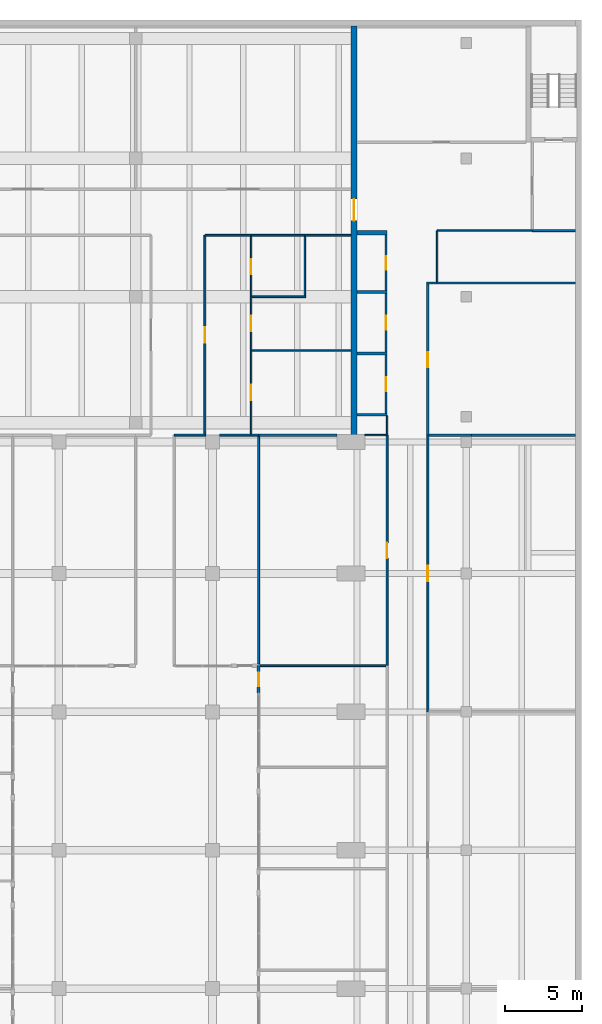
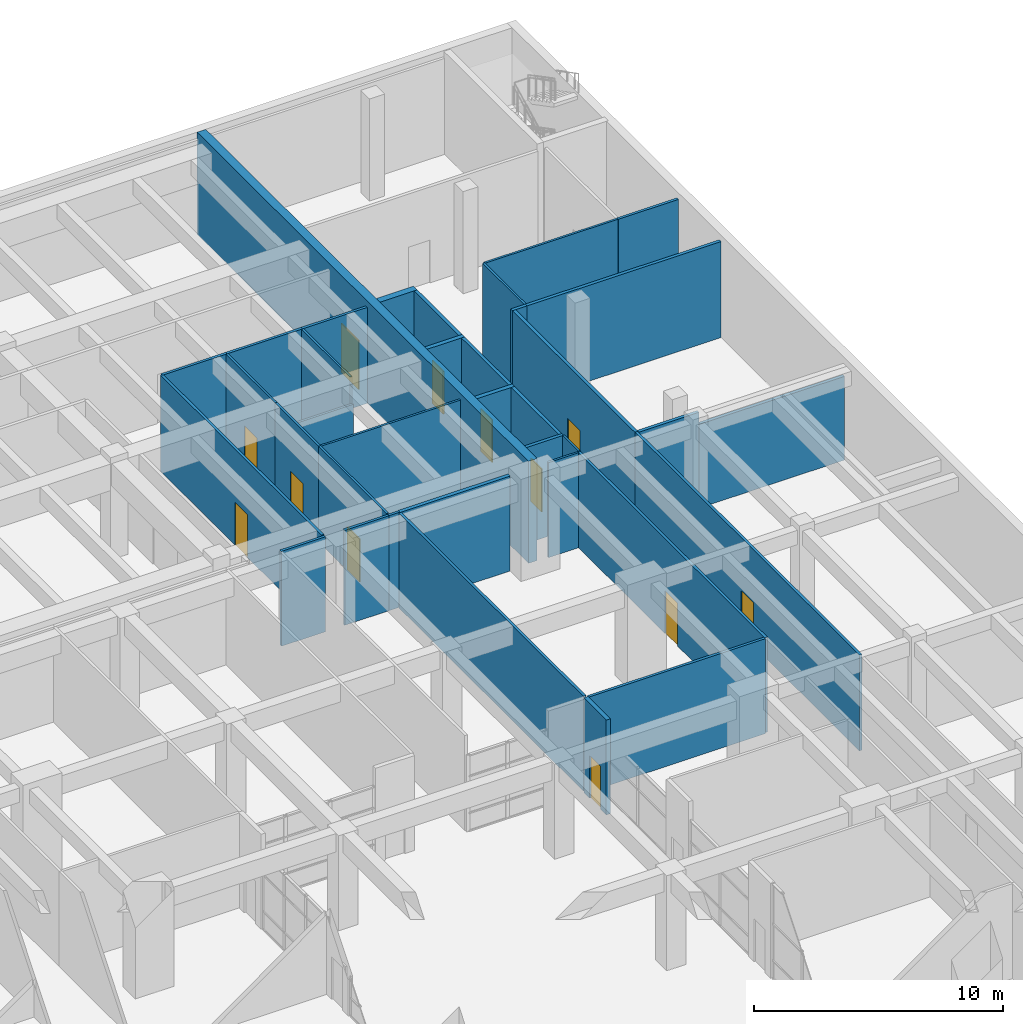
# One storey, part 24 of 29: 37 walls, 12 doors, 12 openings.
"""IFC4 building model written with IfcOpenShell, lengths in metres."""

from ifc_helpers import new_model, si_unit, direction, frame, frame_2d, origin, place, context, subcontext, project, spatial, rectangle, extrude, material, layer, layer_set, type_object, element, fill, save


model = new_model("IFC4")

# Units and contexts
model_context = context("Model", 3, precision=1e-05, world=origin(), true_north=direction((0.0, 1.0)))
body_context = subcontext(model_context, "Body", "Model", "MODEL_VIEW")
ifc_project = project(units=[si_unit("LENGTHUNIT", "METRE"), si_unit("AREAUNIT", "SQUARE_METRE"), si_unit("VOLUMEUNIT", "CUBIC_METRE"), si_unit("PLANEANGLEUNIT", "RADIAN"), si_unit("MASSUNIT", "GRAM", prefix="KILO")], contexts=[model_context])

# Site, building, storey
site_placement = place(None, origin())
site = spatial("IfcSite", under=ifc_project, at=site_placement, CompositionType="ELEMENT")
building_placement = place(site_placement, origin())
building = spatial("IfcBuilding", under=site, at=building_placement, Name="Elmora Arch Market Hall", CompositionType="ELEMENT")
storey_placement = place(building_placement, frame((0.0, 0.0, -5.0)))
storey = spatial("IfcBuildingStorey", under=building, at=storey_placement, Name="LG", CompositionType="ELEMENT", Elevation=-5.0)

# Wall
ifc_material_1 = material(Name="Blockwork", Category="masonry")
ifc_layer_1 = layer(ifc_material_1, 0.14990234375)
ifc_layer_set_1 = layer_set([ifc_layer_1], Name="Blockwork")
wall_type_1 = type_object("IfcWallType", Name="Blockwork partition 150 EI 120", PredefinedType="PARTITIONING", material=ifc_layer_set_1)
wall_1_placement = place(storey_placement, frame((43.39990234375, 100.324951171875, 0.0), z_axis=(0.0, 0.0, 1.0), x_axis=(1.0, 0.0, 0.0)))
element("IfcWall", 1, at=wall_1_placement, inside=storey, type_object=wall_type_1, Name="Riser wall LG 14", PredefinedType="PARTITIONING", context=body_context, shape_type="SweptSolid", body=[
    extrude(rectangle(XDim=1.9501953125, YDim=0.14990234375, at=frame_2d((0.97509765625, 0.0))), origin(), (0.0, 0.0, 1.0), 4.699951171875),
])

# Wall, opening, door
wall_2_placement = place(storey_placement, frame((45.27490234375, 100.39990234375, 0.0), z_axis=(0.0, 0.0, 1.0), x_axis=(0.0, 1.0, 0.0)))
wall_2 = element("IfcWall", 2, at=wall_2_placement, inside=storey, type_object=wall_type_1, Name="Riser wall LG 18", PredefinedType="PARTITIONING", context=body_context, shape_type="SweptSolid", body=[
    extrude(rectangle(XDim=3.800048828125, YDim=0.14990234375, at=frame_2d((1.89990234375, 0.0))), origin(), (0.0, 0.0, 1.0), 4.699951171875),
])
opening_1_placement = place(wall_2_placement, frame((1.449951171875, 0.0, 0.0)))
opening_1 = element("IfcOpeningElement", 3, at=opening_1_placement, cuts=wall_2, Name="Opening D-LG-021", PredefinedType="OPENING", context=body_context, shape_type="SweptSolid", body=[
    extrude(rectangle(XDim=0.89990234375, YDim=2.10009765625, at=frame_2d((0.449951171875, 1.050048828125))), frame((0.0, 0.0849609375, 0.0), z_axis=(0.0, -1.0, 0.0), x_axis=(1.0, 0.0, 0.0)), (0.0, 0.0, 1.0), 0.169921875),
])
ifc_material_2 = material(Name="Steel ASTM A653 galvanised", Category="steel")
door_type_1 = type_object("IfcDoorType", Name="Door 900 x 2100 FD90", OperationType="SINGLE_SWING_LEFT", PredefinedType="DOOR", material=ifc_material_2)
door_1_placement = place(opening_1_placement, origin())
door_1 = element("IfcDoor", 4, at=door_1_placement, inside=storey, type_object=door_type_1, Name="Riser access door D-LG-021", OperationType="SINGLE_SWING_LEFT", OverallHeight=2.10009765625, OverallWidth=0.89990234375, PredefinedType="DOOR", context=body_context, shape_type="SweptSolid", body=[
    extrude(rectangle(XDim=0.89990234375, YDim=2.10009765625, at=frame_2d((0.449951171875, 1.050048828125))), frame((0.0, 0.02490234375, 0.0), z_axis=(0.0, -1.0, 0.0), x_axis=(1.0, 0.0, 0.0)), (0.0, 0.0, 1.0), 0.050048828125),
])
fill(opening_1, door_1)

wall_3_placement = place(storey_placement, frame((45.27490234375, 104.39990234375, 0.0), z_axis=(0.0, 0.0, 1.0), x_axis=(0.0, 1.0, 0.0)))
wall_3 = element("IfcWall", 5, at=wall_3_placement, inside=storey, type_object=wall_type_1, Name="Riser wall LG 19", PredefinedType="PARTITIONING", context=body_context, shape_type="SweptSolid", body=[
    extrude(rectangle(XDim=3.800048828125, YDim=0.14990234375, at=frame_2d((1.89990234375, 0.0))), origin(), (0.0, 0.0, 1.0), 4.699951171875),
])
opening_2_placement = place(wall_3_placement, frame((1.449951171875, 0.0, 0.0)))
opening_2 = element("IfcOpeningElement", 6, at=opening_2_placement, cuts=wall_3, Name="Opening D-LG-028", PredefinedType="OPENING", context=body_context, shape_type="SweptSolid", body=[
    extrude(rectangle(XDim=0.89990234375, YDim=2.10009765625, at=frame_2d((0.449951171875, 1.050048828125))), frame((0.0, 0.0849609375, 0.0), z_axis=(0.0, -1.0, 0.0), x_axis=(1.0, 0.0, 0.0)), (0.0, 0.0, 1.0), 0.169921875),
])
door_2_placement = place(opening_2_placement, origin())
door_2 = element("IfcDoor", 7, at=door_2_placement, inside=storey, type_object=door_type_1, Name="Riser access door D-LG-028", OperationType="SINGLE_SWING_LEFT", OverallHeight=2.10009765625, OverallWidth=0.89990234375, PredefinedType="DOOR", context=body_context, shape_type="SweptSolid", body=[
    extrude(rectangle(XDim=0.89990234375, YDim=2.10009765625, at=frame_2d((0.449951171875, 1.050048828125))), frame((0.0, 0.02490234375, 0.0), z_axis=(0.0, -1.0, 0.0), x_axis=(1.0, 0.0, 0.0)), (0.0, 0.0, 1.0), 0.050048828125),
])
fill(opening_2, door_2)

wall_4_placement = place(storey_placement, frame((45.27490234375, 108.39990234375, 0.0), z_axis=(0.0, 0.0, 1.0), x_axis=(0.0, 1.0, 0.0)))
wall_4 = element("IfcWall", 8, at=wall_4_placement, inside=storey, type_object=wall_type_1, Name="Riser wall LG 20", PredefinedType="PARTITIONING", context=body_context, shape_type="SweptSolid", body=[
    extrude(rectangle(XDim=3.60009765625, YDim=0.14990234375, at=frame_2d((1.800048828125, 0.0))), origin(), (0.0, 0.0, 1.0), 4.699951171875),
])
opening_3_placement = place(wall_4_placement, frame((1.35009765625, 0.0, 0.0)))
opening_3 = element("IfcOpeningElement", 9, at=opening_3_placement, cuts=wall_4, Name="Opening D-LG-031", PredefinedType="OPENING", context=body_context, shape_type="SweptSolid", body=[
    extrude(rectangle(XDim=0.89990234375, YDim=2.10009765625, at=frame_2d((0.449951171875, 1.050048828125))), frame((0.0, 0.0849609375, 0.0), z_axis=(0.0, -1.0, 0.0), x_axis=(1.0, 0.0, 0.0)), (0.0, 0.0, 1.0), 0.169921875),
])
door_3_placement = place(opening_3_placement, origin())
door_3 = element("IfcDoor", 10, at=door_3_placement, inside=storey, type_object=door_type_1, Name="Riser access door D-LG-031", OperationType="SINGLE_SWING_LEFT", OverallHeight=2.10009765625, OverallWidth=0.89990234375, PredefinedType="DOOR", context=body_context, shape_type="SweptSolid", body=[
    extrude(rectangle(XDim=0.89990234375, YDim=2.10009765625, at=frame_2d((0.449951171875, 1.050048828125))), frame((0.0, 0.02490234375, 0.0), z_axis=(0.0, -1.0, 0.0), x_axis=(1.0, 0.0, 0.0)), (0.0, 0.0, 1.0), 0.050048828125),
])
fill(opening_3, door_3)

# Walls
wall_5_placement = place(storey_placement, frame((48.074951171875, 99.0, 0.0), z_axis=(0.0, 0.0, 1.0), x_axis=(1.0, 0.0, 0.0)))
element("IfcWall", 11, at=wall_5_placement, inside=storey, type_object=wall_type_1, Name="Partition PT-LG-051", PredefinedType="PARTITIONING", context=body_context, shape_type="SweptSolid", body=[
    extrude(rectangle(XDim=2.775146484375, YDim=0.14990234375, at=frame_2d((1.3876953125, 0.0))), origin(), (0.0, 0.0, 1.0), 4.699951171875),
])
wall_6_placement = place(storey_placement, frame((47.925048828125, 108.89990234375, 0.0), z_axis=(0.0, 0.0, 1.0), x_axis=(1.0, 0.0, 0.0)))
element("IfcWall", 12, at=wall_6_placement, inside=storey, type_object=wall_type_1, Name="Partition PT-LG-056", PredefinedType="PARTITIONING", context=body_context, shape_type="SweptSolid", body=[
    extrude(rectangle(XDim=0.675048828125, YDim=0.14990234375, at=frame_2d((0.33740234375, 0.0))), origin(), (0.0, 0.0, 1.0), 4.699951171875),
])
wall_7_placement = place(storey_placement, frame((48.60009765625, 108.89990234375, 0.0), z_axis=(0.0, 0.0, 1.0), x_axis=(1.0, 0.0, 0.0)))
element("IfcWall", 13, at=wall_7_placement, inside=storey, type_object=wall_type_1, Name="Partition PT-LG-057", PredefinedType="PARTITIONING", context=body_context, shape_type="SweptSolid", body=[
    extrude(rectangle(XDim=9.0, YDim=0.14990234375, at=frame_2d((4.5, 0.0))), origin(), (0.0, 0.0, 1.0), 4.699951171875),
])

# Wall, opening, door
wall_8_placement = place(storey_placement, frame((48.0, 99.0, 0.0), z_axis=(0.0, 0.0, 1.0), x_axis=(0.0, 1.0, 0.0)))
wall_8 = element("IfcWall", 14, at=wall_8_placement, inside=storey, type_object=wall_type_1, Name="Partition PT-LG-122", PredefinedType="PARTITIONING", context=body_context, shape_type="SweptSolid", body=[
    extrude(rectangle(XDim=9.824951171875, YDim=0.14990234375, at=frame_2d((4.91259765625, 0.0))), origin(), (0.0, 0.0, 1.0), 4.699951171875),
])
opening_4_placement = place(wall_8_placement, frame((4.39990234375, 0.0, 0.0)))
opening_4 = element("IfcOpeningElement", 15, at=opening_4_placement, cuts=wall_8, Name="Opening D-LG-023", PredefinedType="OPENING", context=body_context, shape_type="SweptSolid", body=[
    extrude(rectangle(XDim=1.0, YDim=2.10009765625, at=frame_2d((0.5, 1.050048828125))), frame((0.0, 0.0849609375, 0.0), z_axis=(0.0, -1.0, 0.0), x_axis=(1.0, 0.0, 0.0)), (0.0, 0.0, 1.0), 0.169921875),
])
ifc_material_3 = material(Name="Steel ASTM A653 galvanised", Category="steel")
door_type_2 = type_object("IfcDoorType", Name="Door 1000 x 2100 FD90", OperationType="SINGLE_SWING_LEFT", PredefinedType="DOOR", material=ifc_material_3)
door_4_placement = place(opening_4_placement, frame((1.0, 0.0, 0.0), z_axis=(0.0, 0.0, 1.0), x_axis=(-1.0, 0.0, 0.0)))
door_4 = element("IfcDoor", 16, at=door_4_placement, inside=storey, type_object=door_type_2, Name="D-LG-023", OperationType="SINGLE_SWING_RIGHT", OverallHeight=2.10009765625, OverallWidth=1.0, PredefinedType="DOOR", context=body_context, shape_type="SweptSolid", body=[
    extrude(rectangle(XDim=1.0, YDim=2.10009765625, at=frame_2d((0.5, 1.050048828125))), frame((0.0, 0.02490234375, 0.0), z_axis=(0.0, -1.0, 0.0), x_axis=(1.0, 0.0, 0.0)), (0.0, 0.0, 1.0), 0.050048828125),
])
fill(opening_4, door_4)

# Walls
wall_9_placement = place(storey_placement, frame((50.85009765625, 99.0, 0.0), z_axis=(0.0, 0.0, 1.0), x_axis=(1.0, 0.0, 0.0)))
element("IfcWall", 17, at=wall_9_placement, inside=storey, type_object=wall_type_1, Name="Partition PT-LG-051.2", PredefinedType="PARTITIONING", context=body_context, shape_type="SweptSolid", body=[
    extrude(rectangle(XDim=6.75, YDim=0.14990234375, at=frame_2d((3.375, 0.0))), origin(), (0.0, 0.0, 1.0), 4.10009765625),
])
ifc_material_4 = material(Name="Blockwork", Category="masonry")
ifc_layer_2 = layer(ifc_material_4, 0.199951171875)
ifc_layer_set_2 = layer_set([ifc_layer_2], Name="Blockwork")
wall_type_2 = type_object("IfcWallType", Name="Blockwork partition 200 EI 120", PredefinedType="PARTITIONING", material=ifc_layer_set_2)
for number, where, z_axis, x_axis, name in (
    (18, (43.39990234375, 104.300048828125, 0.0), (0.0, 0.0, 1.0), (1.0, 0.0, 0.0), "Riser wall LG 15"),
    (19, (43.39990234375, 108.300048828125, 0.0), (0.0, 0.0, 1.0), (1.0, 0.0, 0.0), "Riser wall LG 16"),
):
    element("IfcWall", number, at=place(storey_placement, frame(where, z_axis=z_axis, x_axis=x_axis)), inside=storey, type_object=wall_type_2, Name=name, PredefinedType="PARTITIONING", context=body_context, shape_type="SweptSolid", body=[
        extrude(rectangle(XDim=1.9501953125, YDim=0.199951171875, at=frame_2d((0.97509765625, 0.0))), origin(), (0.0, 0.0, 1.0), 4.699951171875),
    ])
ifc_material_5 = material(Name="Blockwork", Category="masonry")
ifc_layer_3 = layer(ifc_material_5, 0.300048828125)
ifc_layer_set_3 = layer_set([ifc_layer_3], Name="Blockwork")
wall_type_3 = type_object("IfcWallType", Name="Blockwork partition 300 EI 120", PredefinedType="PARTITIONING", material=ifc_layer_set_3)
wall_10_placement = place(storey_placement, frame((43.39990234375, 112.14990234375, 0.0), z_axis=(0.0, 0.0, 1.0), x_axis=(1.0, 0.0, 0.0)))
element("IfcWall", 20, at=wall_10_placement, inside=storey, type_object=wall_type_3, Name="Riser wall LG 17", PredefinedType="PARTITIONING", context=body_context, shape_type="SweptSolid", body=[
    extrude(rectangle(XDim=1.9501953125, YDim=0.300048828125, at=frame_2d((0.97509765625, 0.0))), origin(), (0.0, 0.0, 1.0), 4.699951171875),
])

# Wall, opening, door
ifc_material_6 = material(Name="Concrete C40/50", Category="concrete")
ifc_layer_4 = layer(ifc_material_6, 0.199951171875)
ifc_layer_set_4 = layer_set([ifc_layer_4], Name="Concrete C40/50")
wall_type_4 = type_object("IfcWallType", Name="Concrete shopfront pier 200", PredefinedType="PARTITIONING", material=ifc_layer_set_4)
wall_11_placement = place(storey_placement, frame((37.0, 84.0, 0.0), z_axis=(0.0, 0.0, 1.0), x_axis=(0.0, -1.0, 0.0)))
wall_11 = element("IfcWall", 21, at=wall_11_placement, inside=storey, type_object=wall_type_4, Name="Lower ground shopfront pier E5", PredefinedType="PARTITIONING", context=body_context, shape_type="SweptSolid", body=[
    extrude(rectangle(XDim=1.800048828125, YDim=0.199951171875, at=frame_2d((0.89990234375, 0.0))), origin(), (0.0, 0.0, 1.0), 4.64990234375),
])
opening_5_placement = place(wall_11_placement, frame((0.449951171875, 0.0, 0.0)))
opening_5 = element("IfcOpeningElement", 22, at=opening_5_placement, cuts=wall_11, Name="Opening SD-LG-E5", PredefinedType="OPENING", context=body_context, shape_type="SweptSolid", body=[
    extrude(rectangle(XDim=0.89990234375, YDim=2.10009765625, at=frame_2d((0.449951171875, 1.050048828125))), frame((0.0, 0.10986328125, 0.0), z_axis=(0.0, -1.0, 0.0), x_axis=(1.0, 0.0, 0.0)), (0.0, 0.0, 1.0), 0.219970703125),
])
ifc_material_7 = material(Name="Glazed aluminium", Category="aluminium")
door_type_3 = type_object("IfcDoorType", Name="Lower ground shop door 900x2100", OperationType="SINGLE_SWING_LEFT", PredefinedType="DOOR", material=ifc_material_7)
door_5_placement = place(opening_5_placement, origin())
door_5 = element("IfcDoor", 23, at=door_5_placement, inside=storey, type_object=door_type_3, Name="Lower ground shop door E5", OperationType="SINGLE_SWING_LEFT", OverallHeight=2.10009765625, OverallWidth=0.89990234375, PredefinedType="DOOR", context=body_context, shape_type="SweptSolid", body=[
    extrude(rectangle(XDim=0.89990234375, YDim=2.10009765625, at=frame_2d((0.449951171875, 1.050048828125))), frame((0.0, 0.02490234375, 0.0), z_axis=(0.0, -1.0, 0.0), x_axis=(1.0, 0.0, 0.0)), (0.0, 0.0, 1.0), 0.050048828125),
])
fill(opening_5, door_5)

# Walls
ifc_material_8 = material(Name="Gypsum board on metal studs")
ifc_layer_5 = layer(ifc_material_8, 0.10009765625)
ifc_layer_set_5 = layer_set([ifc_layer_5], Name="Gypsum board on metal studs")
wall_type_5 = type_object("IfcWallType", Name="Partition 100", PredefinedType="PARTITIONING", material=ifc_layer_set_5)
wall_12_placement = place(storey_placement, frame((43.89990234375, 99.0, 0.0), z_axis=(0.0, 0.0, 1.0), x_axis=(1.0, 0.0, 0.0)))
element("IfcWall", 24, at=wall_12_placement, inside=storey, type_object=wall_type_5, Name="Partition PT-LG-050", PredefinedType="PARTITIONING", context=body_context, shape_type="SweptSolid", body=[
    extrude(rectangle(XDim=1.3876953125, YDim=0.10009765625, at=frame_2d((0.69384765625, 0.0))), origin(), (0.0, 0.0, 1.0), 4.64990234375),
])
wall_13_placement = place(storey_placement, frame((36.550048828125, 104.5, 0.0), z_axis=(0.0, 0.0, 1.0), x_axis=(1.0, 0.0, 0.0)))
element("IfcWall", 25, at=wall_13_placement, inside=storey, type_object=wall_type_5, Name="Partition PT-LG-052", PredefinedType="PARTITIONING", context=body_context, shape_type="SweptSolid", body=[
    extrude(rectangle(XDim=6.449951171875, YDim=0.10009765625, at=frame_2d((3.22509765625, 0.0))), origin(), (0.0, 0.0, 1.0), 4.699951171875),
])
wall_14_placement = place(storey_placement, frame((36.550048828125, 108.0, 0.0), z_axis=(0.0, 0.0, 1.0), x_axis=(1.0, 0.0, 0.0)))
element("IfcWall", 26, at=wall_14_placement, inside=storey, type_object=wall_type_5, Name="Partition PT-LG-053", PredefinedType="PARTITIONING", context=body_context, shape_type="SweptSolid", body=[
    extrude(rectangle(XDim=3.5, YDim=0.10009765625, at=frame_2d((1.75, 0.0))), origin(), (0.0, 0.0, 1.0), 3.39990234375),
])
wall_15_placement = place(storey_placement, frame((48.610107421875, 112.300048828125, 0.0), z_axis=(0.0, 0.0, 1.0), x_axis=(1.0, 0.0, 0.0)))
element("IfcWall", 27, at=wall_15_placement, inside=storey, type_object=wall_type_5, Name="Partition PT-LG-064", PredefinedType="PARTITIONING", context=body_context, shape_type="SweptSolid", body=[
    extrude(rectangle(XDim=6.18994140625, YDim=0.10009765625, at=frame_2d((3.094970703125, 0.0))), origin(), (0.0, 0.0, 1.0), 4.699951171875),
])

# Wall, opening, door
wall_16_placement = place(storey_placement, frame((36.5, 99.0625, 0.0), z_axis=(0.0, 0.0, 1.0), x_axis=(0.0, 1.0, 0.0)))
wall_16 = element("IfcWall", 28, at=wall_16_placement, inside=storey, type_object=wall_type_5, Name="Partition PT-LG-102", PredefinedType="PARTITIONING", context=body_context, shape_type="SweptSolid", body=[
    extrude(rectangle(XDim=5.4375, YDim=0.10009765625, at=frame_2d((2.71875, 0.0))), origin(), (0.0, 0.0, 1.0), 4.699951171875),
])
opening_6_placement = place(wall_16_placement, frame((2.199951171875, 0.0, 0.0)))
opening_6 = element("IfcOpeningElement", 29, at=opening_6_placement, cuts=wall_16, Name="Opening D-LG-019", PredefinedType="OPENING", context=body_context, shape_type="SweptSolid", body=[
    extrude(rectangle(XDim=1.0, YDim=2.10009765625, at=frame_2d((0.5, 1.050048828125))), frame((0.0, 0.06005859375, 0.0), z_axis=(0.0, -1.0, 0.0), x_axis=(1.0, 0.0, 0.0)), (0.0, 0.0, 1.0), 0.1201171875),
])
ifc_material_9 = material(Name="Timber door set", Category="wood")
door_type_4 = type_object("IfcDoorType", Name="Door 1000 x 2100", OperationType="SINGLE_SWING_LEFT", PredefinedType="DOOR", material=ifc_material_9)
door_6_placement = place(opening_6_placement, frame((1.0, 0.0, 0.0), z_axis=(0.0, 0.0, 1.0), x_axis=(-1.0, 0.0, 0.0)))
door_6 = element("IfcDoor", 30, at=door_6_placement, inside=storey, type_object=door_type_4, Name="D-LG-019", OperationType="SINGLE_SWING_RIGHT", OverallHeight=2.10009765625, OverallWidth=1.0, PredefinedType="DOOR", context=body_context, shape_type="SweptSolid", body=[
    extrude(rectangle(XDim=1.0, YDim=2.10009765625, at=frame_2d((0.5, 1.050048828125))), frame((0.0, 0.02490234375, 0.0), z_axis=(0.0, -1.0, 0.0), x_axis=(1.0, 0.0, 0.0)), (0.0, 0.0, 1.0), 0.050048828125),
])
fill(opening_6, door_6)

wall_17_placement = place(storey_placement, frame((36.5, 104.5, 0.0), z_axis=(0.0, 0.0, 1.0), x_axis=(0.0, 1.0, 0.0)))
wall_17 = element("IfcWall", 31, at=wall_17_placement, inside=storey, type_object=wall_type_5, Name="Partition PT-LG-103", PredefinedType="PARTITIONING", context=body_context, shape_type="SweptSolid", body=[
    extrude(rectangle(XDim=3.5, YDim=0.10009765625, at=frame_2d((1.75, 0.0))), origin(), (0.0, 0.0, 1.0), 4.699951171875),
])
opening_7_placement = place(wall_17_placement, frame((1.25, 0.0, 0.0)))
opening_7 = element("IfcOpeningElement", 32, at=opening_7_placement, cuts=wall_17, Name="Opening D-LG-026", PredefinedType="OPENING", context=body_context, shape_type="SweptSolid", body=[
    extrude(rectangle(XDim=1.0, YDim=2.10009765625, at=frame_2d((0.5, 1.050048828125))), frame((0.0, 0.06005859375, 0.0), z_axis=(0.0, -1.0, 0.0), x_axis=(1.0, 0.0, 0.0)), (0.0, 0.0, 1.0), 0.1201171875),
])
door_7_placement = place(opening_7_placement, frame((1.0, 0.0, 0.0), z_axis=(0.0, 0.0, 1.0), x_axis=(-1.0, 0.0, 0.0)))
door_7 = element("IfcDoor", 33, at=door_7_placement, inside=storey, type_object=door_type_4, Name="D-LG-026", OperationType="SINGLE_SWING_RIGHT", OverallHeight=2.10009765625, OverallWidth=1.0, PredefinedType="DOOR", context=body_context, shape_type="SweptSolid", body=[
    extrude(rectangle(XDim=1.0, YDim=2.10009765625, at=frame_2d((0.5, 1.050048828125))), frame((0.0, 0.02490234375, 0.0), z_axis=(0.0, -1.0, 0.0), x_axis=(1.0, 0.0, 0.0)), (0.0, 0.0, 1.0), 0.050048828125),
])
fill(opening_7, door_7)

wall_18_placement = place(storey_placement, frame((36.5, 108.0, 0.0), z_axis=(0.0, 0.0, 1.0), x_axis=(0.0, 1.0, 0.0)))
wall_18 = element("IfcWall", 34, at=wall_18_placement, inside=storey, type_object=wall_type_5, Name="Partition PT-LG-104", PredefinedType="PARTITIONING", context=body_context, shape_type="SweptSolid", body=[
    extrude(rectangle(XDim=3.9375, YDim=0.10009765625, at=frame_2d((1.96875, 0.0))), origin(), (0.0, 0.0, 1.0), 4.699951171875),
])
opening_8_placement = place(wall_18_placement, frame((1.449951171875, 0.0, 0.0)))
opening_8 = element("IfcOpeningElement", 35, at=opening_8_placement, cuts=wall_18, Name="Opening D-LG-029", PredefinedType="OPENING", context=body_context, shape_type="SweptSolid", body=[
    extrude(rectangle(XDim=1.0, YDim=2.10009765625, at=frame_2d((0.5, 1.050048828125))), frame((0.0, 0.06005859375, 0.0), z_axis=(0.0, -1.0, 0.0), x_axis=(1.0, 0.0, 0.0)), (0.0, 0.0, 1.0), 0.1201171875),
])
door_8_placement = place(opening_8_placement, frame((1.0, 0.0, 0.0), z_axis=(0.0, 0.0, 1.0), x_axis=(-1.0, 0.0, 0.0)))
door_8 = element("IfcDoor", 36, at=door_8_placement, inside=storey, type_object=door_type_4, Name="D-LG-029", OperationType="SINGLE_SWING_RIGHT", OverallHeight=2.10009765625, OverallWidth=1.0, PredefinedType="DOOR", context=body_context, shape_type="SweptSolid", body=[
    extrude(rectangle(XDim=1.0, YDim=2.10009765625, at=frame_2d((0.5, 1.050048828125))), frame((0.0, 0.02490234375, 0.0), z_axis=(0.0, -1.0, 0.0), x_axis=(1.0, 0.0, 0.0)), (0.0, 0.0, 1.0), 0.050048828125),
])
fill(opening_8, door_8)

# Walls
wall_19_placement = place(storey_placement, frame((40.0, 108.050048828125, 0.0), z_axis=(0.0, 0.0, 1.0), x_axis=(0.0, 1.0, 0.0)))
element("IfcWall", 37, at=wall_19_placement, inside=storey, type_object=wall_type_5, Name="Partition PT-LG-107", PredefinedType="PARTITIONING", context=body_context, shape_type="SweptSolid", body=[
    extrude(rectangle(XDim=3.887451171875, YDim=0.10009765625, at=frame_2d((1.94384765625, 0.0))), origin(), (0.0, 0.0, 1.0), 4.699951171875),
])
wall_20_placement = place(storey_placement, frame((45.35009765625, 99.0, 0.0), z_axis=(0.0, 0.0, 1.0), x_axis=(0.0, 1.0, 0.0)))
element("IfcWall", 38, at=wall_20_placement, inside=storey, type_object=wall_type_5, Name="Partition PT-LG-117", PredefinedType="PARTITIONING", context=body_context, shape_type="SweptSolid", body=[
    extrude(rectangle(XDim=1.25, YDim=0.10009765625, at=frame_2d((0.625, 0.0))), origin(), (0.0, 0.0, 1.0), 4.699951171875),
])
wall_21_placement = place(storey_placement, frame((48.60009765625, 108.97509765625, 0.0), z_axis=(0.0, 0.0, 1.0), x_axis=(0.0, 1.0, 0.0)))
element("IfcWall", 39, at=wall_21_placement, inside=storey, type_object=wall_type_5, Name="Partition PT-LG-123", PredefinedType="PARTITIONING", context=body_context, shape_type="SweptSolid", body=[
    extrude(rectangle(XDim=3.31494140625, YDim=0.10009765625, at=frame_2d((1.657470703125, 0.0))), origin(), (0.0, 0.0, 1.0), 4.699951171875),
])
ifc_material_10 = material(Name="Gypsum board on metal studs")
ifc_layer_6 = layer(ifc_material_10, 0.125)
ifc_layer_set_6 = layer_set([ifc_layer_6], Name="Gypsum board on metal studs")
wall_type_6 = type_object("IfcWallType", Name="Partition 125 EI 60", PredefinedType="PARTITIONING", material=ifc_layer_set_6)
wall_22_placement = place(storey_placement, frame((37.10009765625, 84.0, 0.0), z_axis=(0.0, 0.0, 1.0), x_axis=(1.0, 0.0, 0.0)))
element("IfcWall", 40, at=wall_22_placement, inside=storey, type_object=wall_type_6, Name="Partition PT-LG-040", PredefinedType="PARTITIONING", context=body_context, shape_type="SweptSolid", body=[
    extrude(rectangle(XDim=8.1875, YDim=0.125, at=frame_2d((4.09375, 0.0))), origin(), (0.0, 0.0, 1.0), 4.64990234375),
])
wall_23_placement = place(storey_placement, frame((31.510009765625, 99.0, 0.0), z_axis=(0.0, 0.0, 1.0), x_axis=(1.0, 0.0, 0.0)))
element("IfcWall", 41, at=wall_23_placement, inside=storey, type_object=wall_type_6, Name="Partition PT-LG-046", PredefinedType="PARTITIONING", context=body_context, shape_type="SweptSolid", body=[
    extrude(rectangle(XDim=2.0400390625, YDim=0.125, at=frame_2d((1.02001953125, 0.0))), origin(), (0.0, 0.0, 1.0), 4.64990234375),
])
wall_24_placement = place(storey_placement, frame((34.449951171875, 99.0, 0.0), z_axis=(0.0, 0.0, 1.0), x_axis=(1.0, 0.0, 0.0)))
element("IfcWall", 42, at=wall_24_placement, inside=storey, type_object=wall_type_6, Name="Partition PT-LG-047-51", PredefinedType="PARTITIONING", context=body_context, shape_type="SweptSolid", body=[
    extrude(rectangle(XDim=2.050048828125, YDim=0.125, at=frame_2d((1.02490234375, 0.0))), origin(), (0.0, 0.0, 1.0), 4.64990234375),
])
wall_25_placement = place(storey_placement, frame((36.5, 99.0, 0.0), z_axis=(0.0, 0.0, 1.0), x_axis=(1.0, 0.0, 0.0)))
element("IfcWall", 43, at=wall_25_placement, inside=storey, type_object=wall_type_6, Name="Partition PT-LG-048", PredefinedType="PARTITIONING", context=body_context, shape_type="SweptSolid", body=[
    extrude(rectangle(XDim=0.5, YDim=0.125, at=frame_2d((0.25, 0.0))), origin(), (0.0, 0.0, 1.0), 4.64990234375),
])
wall_26_placement = place(storey_placement, frame((33.510009765625, 112.0, 0.0), z_axis=(0.0, 0.0, 1.0), x_axis=(1.0, 0.0, 0.0)))
element("IfcWall", 44, at=wall_26_placement, inside=storey, type_object=wall_type_6, Name="Partition PT-LG-059", PredefinedType="PARTITIONING", context=body_context, shape_type="SweptSolid", body=[
    extrude(rectangle(XDim=2.989990234375, YDim=0.125, at=frame_2d((1.4951171875, 0.0))), origin(), (0.0, 0.0, 1.0), 4.699951171875),
])
wall_27_placement = place(storey_placement, frame((36.5, 112.0, 0.0), z_axis=(0.0, 0.0, 1.0), x_axis=(1.0, 0.0, 0.0)))
element("IfcWall", 45, at=wall_27_placement, inside=storey, type_object=wall_type_6, Name="Partition PT-LG-060", PredefinedType="PARTITIONING", context=body_context, shape_type="SweptSolid", body=[
    extrude(rectangle(XDim=3.5, YDim=0.125, at=frame_2d((1.75, 0.0))), origin(), (0.0, 0.0, 1.0), 4.699951171875),
])
wall_28_placement = place(storey_placement, frame((40.0, 112.0, 0.0), z_axis=(0.0, 0.0, 1.0), x_axis=(1.0, 0.0, 0.0)))
element("IfcWall", 46, at=wall_28_placement, inside=storey, type_object=wall_type_6, Name="Partition PT-LG-061", PredefinedType="PARTITIONING", context=body_context, shape_type="SweptSolid", body=[
    extrude(rectangle(XDim=3.0, YDim=0.125, at=frame_2d((1.5, 0.0))), origin(), (0.0, 0.0, 1.0), 4.699951171875),
])
wall_29_placement = place(storey_placement, frame((54.800048828125, 112.300048828125, 0.0), z_axis=(0.0, 0.0, 1.0), x_axis=(1.0, 0.0, 0.0)))
element("IfcWall", 47, at=wall_29_placement, inside=storey, type_object=wall_type_6, Name="Partition PT-LG-065", PredefinedType="PARTITIONING", context=body_context, shape_type="SweptSolid", body=[
    extrude(rectangle(XDim=2.800048828125, YDim=0.125, at=frame_2d((1.39990234375, 0.0))), origin(), (0.0, 0.0, 1.0), 4.699951171875),
])

# Wall, opening, door
wall_30_placement = place(storey_placement, frame((33.5, 99.0625, 0.0), z_axis=(0.0, 0.0, 1.0), x_axis=(0.0, 1.0, 0.0)))
wall_30 = element("IfcWall", 48, at=wall_30_placement, inside=storey, type_object=wall_type_6, Name="Partition PT-LG-101", PredefinedType="PARTITIONING", context=body_context, shape_type="SweptSolid", body=[
    extrude(rectangle(XDim=12.927490234375, YDim=0.125, at=frame_2d((6.4638671875, 0.0))), origin(), (0.0, 0.0, 1.0), 4.699951171875),
])
opening_9_placement = place(wall_30_placement, frame((5.949951171875, 0.0, 0.0)))
opening_9 = element("IfcOpeningElement", 49, at=opening_9_placement, cuts=wall_30, Name="Opening D-LG-025", PredefinedType="OPENING", context=body_context, shape_type="SweptSolid", body=[
    extrude(rectangle(XDim=1.0, YDim=2.10009765625, at=frame_2d((0.5, 1.050048828125))), frame((0.0, 0.072509765625, 0.0), z_axis=(0.0, -1.0, 0.0), x_axis=(1.0, 0.0, 0.0)), (0.0, 0.0, 1.0), 0.14501953125),
])
ifc_material_11 = material(Name="Steel ASTM A653 galvanised", Category="steel")
door_type_5 = type_object("IfcDoorType", Name="Door 1000 x 2100 FD20", OperationType="SINGLE_SWING_LEFT", PredefinedType="DOOR", material=ifc_material_11)
door_9_placement = place(opening_9_placement, frame((1.0, 0.0, 0.0), z_axis=(0.0, 0.0, 1.0), x_axis=(-1.0, 0.0, 0.0)))
door_9 = element("IfcDoor", 50, at=door_9_placement, inside=storey, type_object=door_type_5, Name="D-LG-025", OperationType="SINGLE_SWING_LEFT", OverallHeight=2.10009765625, OverallWidth=1.0, PredefinedType="DOOR", context=body_context, shape_type="SweptSolid", body=[
    extrude(rectangle(XDim=1.0, YDim=2.10009765625, at=frame_2d((0.5, 1.050048828125))), frame((0.0, 0.02490234375, 0.0), z_axis=(0.0, -1.0, 0.0), x_axis=(1.0, 0.0, 0.0)), (0.0, 0.0, 1.0), 0.050048828125),
])
fill(opening_9, door_9)

# Wall
wall_31_placement = place(storey_placement, frame((37.0, 84.10009765625, 0.0), z_axis=(0.0, 0.0, 1.0), x_axis=(0.0, 1.0, 0.0)))
element("IfcWall", 51, at=wall_31_placement, inside=storey, type_object=wall_type_6, Name="Partition PT-LG-106", PredefinedType="PARTITIONING", context=body_context, shape_type="SweptSolid", body=[
    extrude(rectangle(XDim=14.8125, YDim=0.125, at=frame_2d((7.40625, 0.0))), origin(), (0.0, 0.0, 1.0), 4.64990234375),
])

# Wall, opening, door
wall_32_placement = place(storey_placement, frame((45.35009765625, 84.0, 0.0), z_axis=(0.0, 0.0, 1.0), x_axis=(0.0, 1.0, 0.0)))
wall_32 = element("IfcWall", 52, at=wall_32_placement, inside=storey, type_object=wall_type_6, Name="Partition PT-LG-116", PredefinedType="PARTITIONING", context=body_context, shape_type="SweptSolid", body=[
    extrude(rectangle(XDim=15.0, YDim=0.125, at=frame_2d((7.5, 0.0))), origin(), (0.0, 0.0, 1.0), 4.64990234375),
])
opening_10_placement = place(wall_32_placement, frame((7.0, 0.0, 0.0)))
opening_10 = element("IfcOpeningElement", 53, at=opening_10_placement, cuts=wall_32, Name="Opening D-LG-018", PredefinedType="OPENING", context=body_context, shape_type="SweptSolid", body=[
    extrude(rectangle(XDim=1.0, YDim=2.10009765625, at=frame_2d((0.5, 1.050048828125))), frame((0.0, 0.072509765625, 0.0), z_axis=(0.0, -1.0, 0.0), x_axis=(1.0, 0.0, 0.0)), (0.0, 0.0, 1.0), 0.14501953125),
])
ifc_material_12 = material(Name="Steel ASTM A653 galvanised", Category="steel")
door_type_6 = type_object("IfcDoorType", Name="Door 1000 x 2100 FD45", OperationType="SINGLE_SWING_LEFT", PredefinedType="DOOR", material=ifc_material_12)
door_10_placement = place(opening_10_placement, origin())
door_10 = element("IfcDoor", 54, at=door_10_placement, inside=storey, type_object=door_type_6, Name="D-LG-018", OperationType="SINGLE_SWING_LEFT", OverallHeight=2.10009765625, OverallWidth=1.0, PredefinedType="DOOR", context=body_context, shape_type="SweptSolid", body=[
    extrude(rectangle(XDim=1.0, YDim=2.10009765625, at=frame_2d((0.5, 1.050048828125))), frame((0.0, 0.02490234375, 0.0), z_axis=(0.0, -1.0, 0.0), x_axis=(1.0, 0.0, 0.0)), (0.0, 0.0, 1.0), 0.050048828125),
])
fill(opening_10, door_10)

wall_33_placement = place(storey_placement, frame((48.0, 81.0, 0.0), z_axis=(0.0, 0.0, 1.0), x_axis=(0.0, 1.0, 0.0)))
wall_33 = element("IfcWall", 55, at=wall_33_placement, inside=storey, type_object=wall_type_6, Name="Partition PT-LG-121", PredefinedType="PARTITIONING", context=body_context, shape_type="SweptSolid", body=[
    extrude(rectangle(XDim=18.0, YDim=0.125, at=frame_2d((9.0, 0.0))), origin(), (0.0, 0.0, 1.0), 4.699951171875),
])
opening_11_placement = place(wall_33_placement, frame((8.5, 0.0, 0.0)))
opening_11 = element("IfcOpeningElement", 56, at=opening_11_placement, cuts=wall_33, Name="Opening D-LG-015", PredefinedType="OPENING", context=body_context, shape_type="SweptSolid", body=[
    extrude(rectangle(XDim=1.0, YDim=2.10009765625, at=frame_2d((0.5, 1.050048828125))), frame((0.0, 0.072509765625, 0.0), z_axis=(0.0, -1.0, 0.0), x_axis=(1.0, 0.0, 0.0)), (0.0, 0.0, 1.0), 0.14501953125),
])
door_11_placement = place(opening_11_placement, frame((1.0, 0.0, 0.0), z_axis=(0.0, 0.0, 1.0), x_axis=(-1.0, 0.0, 0.0)))
door_11 = element("IfcDoor", 57, at=door_11_placement, inside=storey, type_object=door_type_6, Name="D-LG-015", OperationType="SINGLE_SWING_LEFT", OverallHeight=2.10009765625, OverallWidth=1.0, PredefinedType="DOOR", context=body_context, shape_type="SweptSolid", body=[
    extrude(rectangle(XDim=1.0, YDim=2.10009765625, at=frame_2d((0.5, 1.050048828125))), frame((0.0, 0.02490234375, 0.0), z_axis=(0.0, -1.0, 0.0), x_axis=(1.0, 0.0, 0.0)), (0.0, 0.0, 1.0), 0.050048828125),
])
fill(opening_11, door_11)

# Wall
ifc_material_13 = material(Name="Gypsum board on metal studs")
ifc_layer_7 = layer(ifc_material_13, 0.175048828125)
ifc_layer_set_7 = layer_set([ifc_layer_7], Name="Gypsum board on metal studs")
wall_type_7 = type_object("IfcWallType", Name="Partition 175 EI 60", PredefinedType="PARTITIONING", material=ifc_layer_set_7)
wall_34_placement = place(storey_placement, frame((37.0, 99.0, 0.0), z_axis=(0.0, 0.0, 1.0), x_axis=(1.0, 0.0, 0.0)))
element("IfcWall", 58, at=wall_34_placement, inside=storey, type_object=wall_type_7, Name="Partition PT-LG-049", PredefinedType="PARTITIONING", context=body_context, shape_type="SweptSolid", body=[
    extrude(rectangle(XDim=5.10009765625, YDim=0.175048828125, at=frame_2d((2.550048828125, 0.0))), origin(), (0.0, 0.0, 1.0), 4.64990234375),
])

# Wall, opening, door
ifc_material_14 = material(Name="Concrete C40/50", Category="concrete")
ifc_layer_8 = layer(ifc_material_14, 0.39990234375)
ifc_layer_set_8 = layer_set([ifc_layer_8], Name="Concrete C40/50")
wall_type_8 = type_object("IfcWallType", Name="Spine wall 400", PredefinedType="SHEAR", material=ifc_layer_set_8)
wall_35_placement = place(storey_placement, frame((43.199951171875, 99.0, 0.0), z_axis=(0.0, 0.0, 1.0), x_axis=(0.0, 1.0, 0.0)))
wall_35 = element("IfcWall", 59, at=wall_35_placement, inside=storey, type_object=wall_type_8, Name="Spine wall E LG", PredefinedType="SHEAR", context=body_context, shape_type="SweptSolid", body=[
    extrude(rectangle(XDim=26.60009765625, YDim=0.39990234375, at=frame_2d((13.300048828125, 0.0))), origin(), (0.0, 0.0, 1.0), 5.0),
])
opening_12_placement = place(wall_35_placement, frame((13.949951171875, 0.0, 0.0)))
opening_12 = element("IfcOpeningElement", 60, at=opening_12_placement, cuts=wall_35, Name="Opening D-LG-033", PredefinedType="OPENING", context=body_context, shape_type="SweptSolid", body=[
    extrude(rectangle(XDim=1.39990234375, YDim=2.39990234375, at=frame_2d((0.699951171875, 1.199951171875))), frame((0.0, 0.2099609375, 0.0), z_axis=(0.0, -1.0, 0.0), x_axis=(1.0, 0.0, 0.0)), (0.0, 0.0, 1.0), 0.419921875),
])
ifc_material_15 = material(Name="Timber door set", Category="wood")
door_type_7 = type_object("IfcDoorType", Name="Door 1400 x 2400", OperationType="SINGLE_SWING_LEFT", PredefinedType="DOOR", material=ifc_material_15)
door_12_placement = place(opening_12_placement, frame((1.39990234375, 0.0, 0.0), z_axis=(0.0, 0.0, 1.0), x_axis=(-1.0, 0.0, 0.0)))
door_12 = element("IfcDoor", 61, at=door_12_placement, inside=storey, type_object=door_type_7, Name="D-LG-033", OperationType="SINGLE_SWING_RIGHT", OverallHeight=2.39990234375, OverallWidth=1.39990234375, PredefinedType="DOOR", context=body_context, shape_type="SweptSolid", body=[
    extrude(rectangle(XDim=1.39990234375, YDim=2.39990234375, at=frame_2d((0.699951171875, 1.199951171875))), frame((0.0, 0.02490234375, 0.0), z_axis=(0.0, -1.0, 0.0), x_axis=(1.0, 0.0, 0.0)), (0.0, 0.0, 1.0), 0.050048828125),
])
fill(opening_12, door_12)

save(model, "model.ifc")
